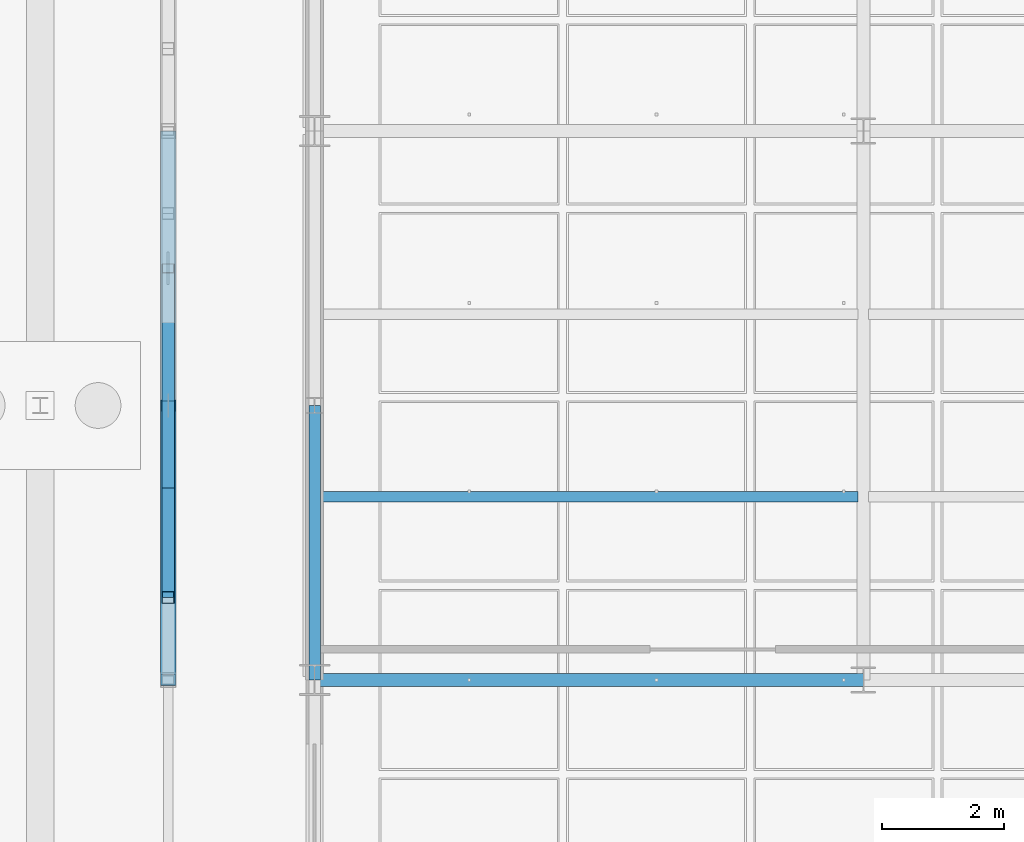
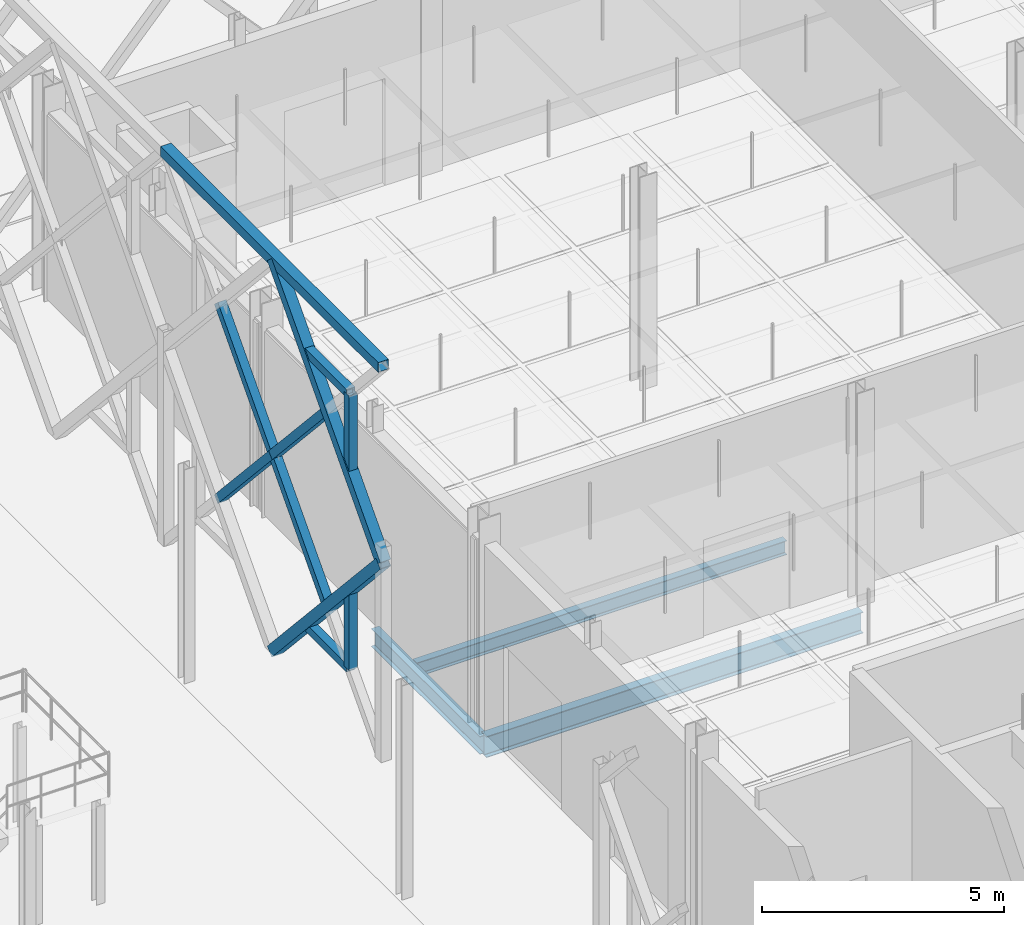
# One storey, part 31 of 180: 10 members, 3 beams.
"""IFC4 building model written with IfcOpenShell, lengths in metres."""

from ifc_helpers import new_model, si_unit, direction, frame, origin, origin_2d, place, context, subcontext, project, spatial, hollow_rectangle, i_section, extrude, material, material_profile, profile_set, type_object, element, save


model = new_model("IFC4")

# Units and contexts
model_context = context("Model", 3, precision=1e-05, world=origin(), true_north=direction((0.0, 1.0)))
body_context = subcontext(model_context, "Body", "Model", "MODEL_VIEW")
ifc_project = project(units=[si_unit("LENGTHUNIT", "METRE"), si_unit("AREAUNIT", "SQUARE_METRE"), si_unit("VOLUMEUNIT", "CUBIC_METRE"), si_unit("PLANEANGLEUNIT", "RADIAN"), si_unit("MASSUNIT", "GRAM", prefix="KILO"), si_unit("THERMODYNAMICTEMPERATUREUNIT", "KELVIN"), si_unit("POWERUNIT", "WATT")], contexts=[model_context])

# Site, building, storey
site_placement = place(None, origin())
site = spatial("IfcSite", under=ifc_project, at=site_placement, CompositionType="ELEMENT")
building_placement = place(site_placement, origin())
building = spatial("IfcBuilding", under=site, at=building_placement, Name="Tallowbark Science Centre", CompositionType="ELEMENT")
storey_placement = place(building_placement, origin())
storey = spatial("IfcBuildingStorey", under=building, at=storey_placement, Name="L00", CompositionType="ELEMENT", Elevation=0.0)

# Beams
ifc_material_1 = material(Name="Structural Steel Grade 300PLUS (300 MPa)", Category="steel")
ifc_material_profile_1 = material_profile(ifc_material_1, i_section(OverallWidth=0.208984375, OverallDepth=0.532958984375, WebThickness=0.01025390625, FlangeThickness=0.015625, FilletRadius=0.013916015625, at=origin_2d()), Name="530UB92.4")
ifc_profile_set_1 = profile_set([ifc_material_profile_1], Name="Structural Steel Grade 300PLUS (300 MPa)")
beam_type_1 = type_object("IfcBeamType", Name="BM-UB530A", PredefinedType="BEAM", material=ifc_profile_set_1)
beam_1_placement = place(storey_placement, frame((58.5, 22.5, -0.506591796875), z_axis=(1.0, 0.0, 0.0), x_axis=(0.0, 1.0, 0.0)))
element("IfcBeam", 1, at=beam_1_placement, inside=storey, type_object=beam_type_1, Name="Primary Girder GRDX-L00-585-675-225", PredefinedType="BEAM", context=body_context, shape_type="SweptSolid", body=[
    extrude(i_section(OverallWidth=0.208984375, OverallDepth=0.532958984375, WebThickness=0.01025390625, FlangeThickness=0.015625, FilletRadius=0.013916015625, at=origin_2d()), origin(), (0.0, 0.0, 1.0), 9.0),
])
ifc_material_profile_2 = material_profile(ifc_material_1, i_section(OverallWidth=0.172119140625, OverallDepth=0.358642578125, WebThickness=0.008056640625, FlangeThickness=0.012939453125, FilletRadius=0.011474609375, at=origin_2d()), Name="360UB56.7")
ifc_profile_set_2 = profile_set([ifc_material_profile_2], Name="Structural Steel Grade 300PLUS (300 MPa)")
beam_type_2 = type_object("IfcBeamType", Name="JST-UB360", PredefinedType="JOIST", material=ifc_profile_set_2)
beam_2_placement = place(storey_placement, frame((58.5849609375, 25.5, -0.419189453125), z_axis=(1.0, 0.0, 0.0), x_axis=(0.0, 1.0, 0.0)))
element("IfcBeam", 2, at=beam_2_placement, inside=storey, type_object=beam_type_2, Name="Composite Floor Joist JSTX-L00-585-255", PredefinedType="JOIST", context=body_context, shape_type="SweptSolid", body=[
    extrude(i_section(OverallWidth=0.172119140625, OverallDepth=0.358642578125, WebThickness=0.008056640625, FlangeThickness=0.012939453125, FilletRadius=0.011474609375, at=origin_2d()), origin(), (0.0, 0.0, 1.0), 8.830078125),
])

# Members
ifc_material_2 = material(Name="White Architectural Painted Steel Grade C350L0 (350 MPa)", Category="steel")
ifc_material_profile_3 = material_profile(ifc_material_2, hollow_rectangle(XDim=0.25, YDim=0.25, WallThickness=0.009033203125, at=origin_2d()), Name="250x250x9.0SHS")
ifc_profile_set_3 = profile_set([ifc_material_profile_3], Name="White Architectural Painted Steel Grade C350L0 (350 MPa)")
member_type_1 = type_object("IfcMemberType", Name="SCR-CHD200", PredefinedType="CHORD", material=ifc_profile_set_3)
member_1_placement = place(storey_placement, frame((56.10009765625, 22.5, 9.89990234375), z_axis=(0.0, 1.0, 0.0), x_axis=(-1.0, 0.0, 0.0)))
element("IfcMember", 3, at=member_1_placement, inside=storey, type_object=member_type_1, Name="Star Screen Frame Chord W-13", PredefinedType="CHORD", context=body_context, shape_type="SweptSolid", body=[
    extrude(hollow_rectangle(XDim=0.25, YDim=0.25, WallThickness=0.009033203125, at=origin_2d()), origin(), (0.0, 0.0, 1.0), 9.0),
])
for number, where, z_axis, x_axis, name in (
    (4, (56.10009765625, 27.0, 9.89990234375), (0.0, -0.672676426978, -0.739936770669), (1.0, 0.0, 0.0), "Star Screen Octagram Diamond Chord W-13-3"),
    (5, (56.10009765625, 22.5, 4.949951171875), (0.0, 0.672676426978, -0.739936770669), (-1.0, 0.0, 0.0), "Star Screen Octagram Diamond Chord W-13-4"),
):
    element("IfcMember", number, at=place(storey_placement, frame(where, z_axis=z_axis, x_axis=x_axis)), inside=storey, type_object=member_type_1, Name=name, PredefinedType="CHORD", context=body_context, shape_type="SweptSolid", body=[
        extrude(hollow_rectangle(XDim=0.25, YDim=0.25, WallThickness=0.009033203125, at=origin_2d()), origin(), (0.0, 0.0, 1.0), 6.689697265625),
    ])
ifc_material_profile_4 = material_profile(ifc_material_2, hollow_rectangle(XDim=0.199951171875, YDim=0.199951171875, WallThickness=0.009033203125, at=origin_2d()), Name="200x200x9.0SHS")
ifc_profile_set_4 = profile_set([ifc_material_profile_4], Name="White Architectural Painted Steel Grade C350L0 (350 MPa)")
member_type_2 = type_object("IfcMemberType", Name="SCR-STAR139", PredefinedType="BRACE", material=ifc_profile_set_4)
member_2_placement = place(storey_placement, frame((56.10009765625, 24.75, 2.47509765625), z_axis=(0.0, 0.672676426978, 0.739936770669), x_axis=(-1.0, 0.0, 0.0)))
element("IfcMember", 6, at=member_2_placement, inside=storey, type_object=member_type_2, Name="Star Screen Continuous X-Diagonal D1M W-13", PredefinedType="BRACE", context=body_context, shape_type="SweptSolid", body=[
    extrude(hollow_rectangle(XDim=0.199951171875, YDim=0.199951171875, WallThickness=0.009033203125, at=origin_2d()), origin(), (0.0, 0.0, 1.0), 6.689697265625),
])
member_3_placement = place(storey_placement, frame((56.10009765625, 24.75, 7.425048828125), z_axis=(0.0, 0.672658262301, -0.739953283768), x_axis=(-1.0, 0.0, 0.0)))
element("IfcMember", 7, at=member_3_placement, inside=storey, type_object=member_type_2, Name="Star Screen Split X-Diagonal D2B W-13", PredefinedType="BRACE", context=body_context, shape_type="SweptSolid", body=[
    extrude(hollow_rectangle(XDim=0.199951171875, YDim=0.199951171875, WallThickness=0.009033203125, at=origin_2d()), origin(), (0.0, 0.0, 1.0), 3.344970703125),
])
member_4_placement = place(storey_placement, frame((56.10009765625, 27.0, 4.949951171875), z_axis=(0.0, 0.672694592231, -0.739920256233), x_axis=(-1.0, 0.0, 0.0)))
element("IfcMember", 8, at=member_4_placement, inside=storey, type_object=member_type_2, Name="Star Screen Split X-Diagonal D2C W-13", PredefinedType="BRACE", context=body_context, shape_type="SweptSolid", body=[
    extrude(hollow_rectangle(XDim=0.199951171875, YDim=0.199951171875, WallThickness=0.009033203125, at=origin_2d()), origin(), (0.0, 0.0, 1.0), 3.3447265625),
])
ifc_material_profile_5 = material_profile(ifc_material_2, hollow_rectangle(XDim=0.199951171875, YDim=0.199951171875, WallThickness=0.009033203125, at=origin_2d()), Name="200x200x9.0SHS")
ifc_profile_set_5 = profile_set([ifc_material_profile_5], Name="White Architectural Painted Steel Grade C350L0 (350 MPa)")
member_type_3 = type_object("IfcMemberType", Name="SCR-SUB150", PredefinedType="BRACE", material=ifc_profile_set_5)
member_5_placement = place(storey_placement, frame((56.10009765625, 23.85009765625, 1.485107421875), z_axis=(0.0, 1.0, 0.0), x_axis=(-1.0, 0.0, 0.0)))
element("IfcMember", 9, at=member_5_placement, inside=storey, type_object=member_type_3, Name="Star Screen Octagram Point Ray W-13-1", PredefinedType="BRACE", context=body_context, shape_type="SweptSolid", body=[
    extrude(hollow_rectangle(XDim=0.199951171875, YDim=0.199951171875, WallThickness=0.009033203125, at=origin_2d()), origin(), (0.0, 0.0, 1.0), 1.7998046875),
])
member_6_placement = place(storey_placement, frame((56.10009765625, 23.85009765625, 1.485107421875), z_axis=(0.0, 0.0, 1.0), x_axis=(1.0, 0.0, 0.0)))
element("IfcMember", 10, at=member_6_placement, inside=storey, type_object=member_type_3, Name="Star Screen Octagram Point Ray W-13-2", PredefinedType="BRACE", context=body_context, shape_type="SweptSolid", body=[
    extrude(hollow_rectangle(XDim=0.199951171875, YDim=0.199951171875, WallThickness=0.009033203125, at=origin_2d()), origin(), (0.0, 0.0, 1.0), 1.97998046875),
])
member_7_placement = place(storey_placement, frame((56.10009765625, 23.85009765625, 8.4150390625), z_axis=(0.0, 1.0, 0.0), x_axis=(-1.0, 0.0, 0.0)))
element("IfcMember", 11, at=member_7_placement, inside=storey, type_object=member_type_3, Name="Star Screen Octagram Point Ray W-13-7", PredefinedType="BRACE", context=body_context, shape_type="SweptSolid", body=[
    extrude(hollow_rectangle(XDim=0.199951171875, YDim=0.199951171875, WallThickness=0.009033203125, at=origin_2d()), origin(), (0.0, 0.0, 1.0), 1.7998046875),
])
member_8_placement = place(storey_placement, frame((56.10009765625, 23.85009765625, 8.4150390625), z_axis=(0.0, 0.0, -1.0), x_axis=(1.0, 0.0, 0.0)))
element("IfcMember", 12, at=member_8_placement, inside=storey, type_object=member_type_3, Name="Star Screen Octagram Point Ray W-13-8", PredefinedType="BRACE", context=body_context, shape_type="SweptSolid", body=[
    extrude(hollow_rectangle(XDim=0.199951171875, YDim=0.199951171875, WallThickness=0.009033203125, at=origin_2d()), origin(), (0.0, 0.0, 1.0), 1.97998046875),
])

# Beam
ifc_material_profile_6 = material_profile(ifc_material_1, i_section(OverallWidth=0.18994140625, OverallDepth=0.453857421875, WebThickness=0.008544921875, FlangeThickness=0.0126953125, FilletRadius=0.011474609375, at=origin_2d()), Name="460UB67.1")
ifc_profile_set_6 = profile_set([ifc_material_profile_6], Name="Structural Steel Grade 300PLUS (300 MPa)")
beam_type_3 = type_object("IfcBeamType", Name="SPN-UB460", PredefinedType="SPANDREL", material=ifc_profile_set_6)
beam_3_placement = place(storey_placement, frame((58.5, 22.5, -0.491943359375), z_axis=(0.0, 1.0, 0.0), x_axis=(-1.0, 0.0, 0.0)))
element("IfcBeam", 13, at=beam_3_placement, inside=storey, type_object=beam_type_3, Name="Primary Girder GRDY-L00-585-225-270", PredefinedType="SPANDREL", context=body_context, shape_type="SweptSolid", body=[
    extrude(i_section(OverallWidth=0.18994140625, OverallDepth=0.453857421875, WebThickness=0.008544921875, FlangeThickness=0.0126953125, FilletRadius=0.011474609375, at=origin_2d()), origin(), (0.0, 0.0, 1.0), 4.5),
])

save(model, "model.ifc")
